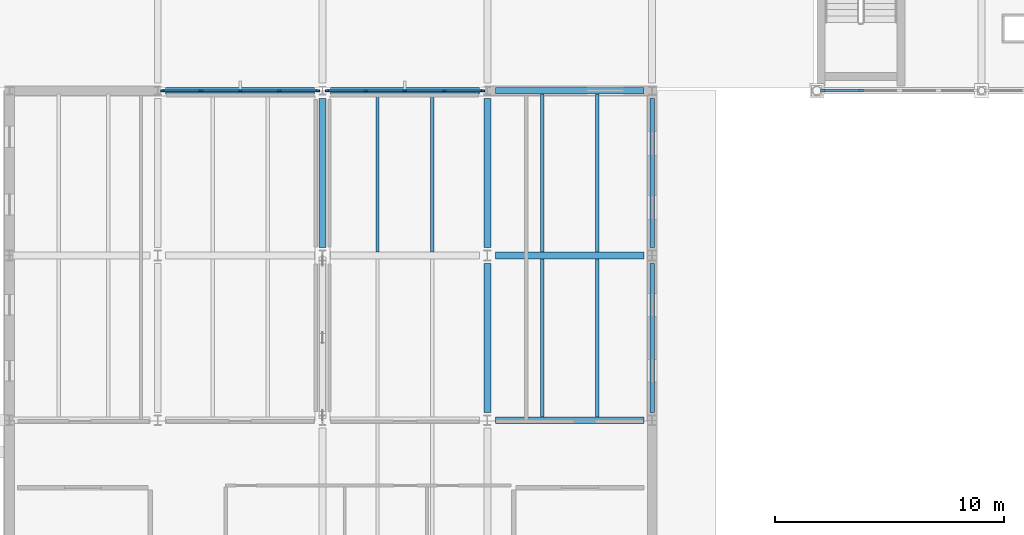
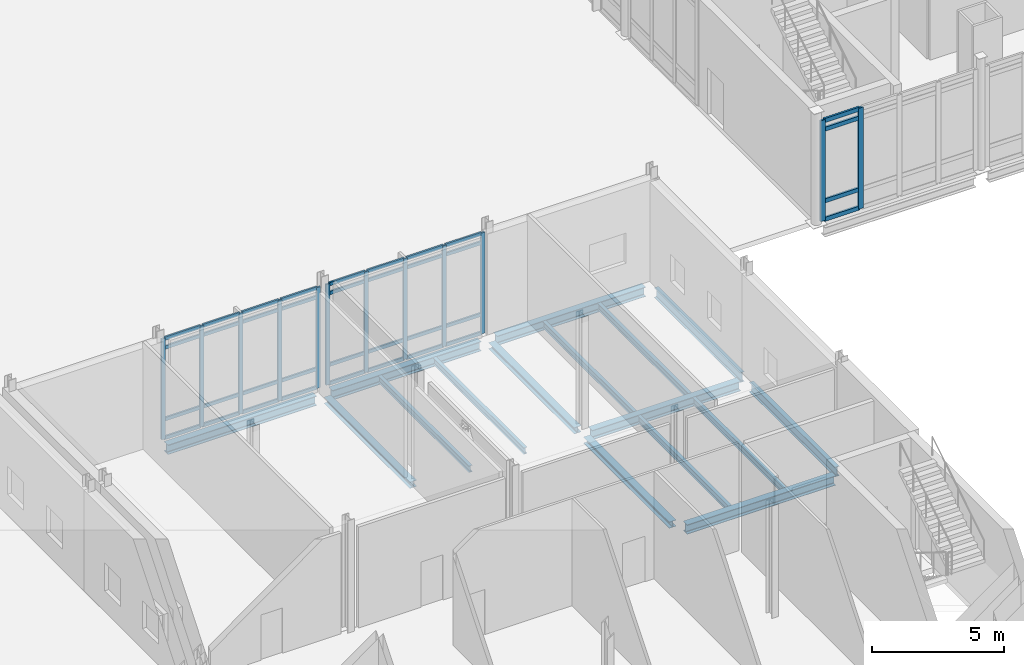
# One storey, part 22 of 89: 48 members, 16 beams, 3 elements without a shape of their own.
"""IFC4 building model written with IfcOpenShell, lengths in metres."""

from ifc_helpers import new_model, si_unit, direction, frame, origin, origin_2d, place, context, subcontext, project, spatial, rectangle, i_section, extrude, material, layer, layer_set, material_profile, profile_set, type_object, element, aggregate, save


model = new_model("IFC4")

# Units and contexts
model_context = context("Model", 3, precision=1e-05, world=origin(), true_north=direction((0.0, 1.0)))
body_context = subcontext(model_context, "Body", "Model", "MODEL_VIEW")
ifc_project = project(units=[si_unit("LENGTHUNIT", "METRE"), si_unit("AREAUNIT", "SQUARE_METRE"), si_unit("VOLUMEUNIT", "CUBIC_METRE"), si_unit("PLANEANGLEUNIT", "RADIAN"), si_unit("MASSUNIT", "GRAM", prefix="KILO")], contexts=[model_context])

# Site, building, storey
site_placement = place(None, origin())
site = spatial("IfcSite", under=ifc_project, at=site_placement, CompositionType="ELEMENT")
building_placement = place(site_placement, origin())
building = spatial("IfcBuilding", under=site, at=building_placement, Name="Zarrinpeak Specialist Clinic", CompositionType="ELEMENT")
storey_placement = place(building_placement, origin())
storey = spatial("IfcBuildingStorey", under=building, at=storey_placement, Name="L00", CompositionType="ELEMENT", Elevation=0.0)

# Beams
ifc_material_1 = material(Name="Steel S355", Category="steel")
ifc_material_profile_1 = material_profile(ifc_material_1, i_section(OverallWidth=0.300048828125, OverallDepth=0.2900390625, WebThickness=0.008544921875, FlangeThickness=0.013916015625, FilletRadius=0.027099609375, at=origin_2d()), Name="HEA 300")
ifc_profile_set_1 = profile_set([ifc_material_profile_1], Name="Steel S355")
beam_type_1 = type_object("IfcBeamType", Name="BM-HEA300", PredefinedType="BEAM", material=ifc_profile_set_1)
for number, where, z_axis, x_axis, name in (
    (1, (72.0, 21.947998046875, -0.39501953125), (0.0, 1.0, 0.0), (-1.0, 0.0, 0.0), "L00 Primary Beam BM-L00-Y0345"),
    (2, (79.199951171875, 14.748046875, -0.39501953125), (0.0, 1.0, 0.0), (-1.0, 0.0, 0.0), "L00 Primary Beam BM-L00-Y0355"),
    (3, (79.199951171875, 21.947998046875, -0.39501953125), (0.0, 1.0, 0.0), (-1.0, 0.0, 0.0), "L00 Primary Beam BM-L00-Y0356"),
):
    element("IfcBeam", number, at=place(storey_placement, frame(where, z_axis=z_axis, x_axis=x_axis)), inside=storey, type_object=beam_type_1, Name=name, PredefinedType="BEAM", context=body_context, shape_type="SweptSolid", body=[
        extrude(i_section(OverallWidth=0.300048828125, OverallDepth=0.2900390625, WebThickness=0.008544921875, FlangeThickness=0.013916015625, FilletRadius=0.027099609375, at=origin_2d()), origin(), (0.0, 0.0, 1.0), 6.50390625),
    ])
ifc_material_profile_2 = material_profile(ifc_material_1, i_section(OverallWidth=0.300048828125, OverallDepth=0.43994140625, WebThickness=0.011474609375, FlangeThickness=0.02099609375, FilletRadius=0.027099609375, at=origin_2d()), Name="HEA 450")
ifc_profile_set_2 = profile_set([ifc_material_profile_2], Name="Steel S355")
beam_type_2 = type_object("IfcBeamType", Name="BM-HEA450", PredefinedType="BEAM", material=ifc_profile_set_2)
for number, where, z_axis, x_axis, name in (
    (4, (79.548095703125, 14.39990234375, -0.469970703125), (1.0, 0.0, 0.0), (0.0, 1.0, 0.0), "L00 Primary Floor Girder BM-L00-X0027"),
    (5, (79.548095703125, 21.60009765625, -0.469970703125), (1.0, 0.0, 0.0), (0.0, 1.0, 0.0), "L00 Primary Floor Girder BM-L00-X0039"),
):
    element("IfcBeam", number, at=place(storey_placement, frame(where, z_axis=z_axis, x_axis=x_axis)), inside=storey, type_object=beam_type_2, Name=name, PredefinedType="BEAM", context=body_context, shape_type="SweptSolid", body=[
        extrude(i_section(OverallWidth=0.300048828125, OverallDepth=0.43994140625, WebThickness=0.011474609375, FlangeThickness=0.02099609375, FilletRadius=0.027099609375, at=origin_2d()), origin(), (0.0, 0.0, 1.0), 6.50390625),
    ])
for number, where, z_axis, x_axis, name in (
    (6, (65.14794921875, 28.800048828125, -0.469970703125), (1.0, 0.0, 0.0), (0.0, 1.0, 0.0), "L00 Primary Floor Girder BM-L00-X0049"),
    (7, (72.347900390625, 28.800048828125, -0.469970703125), (1.0, 0.0, 0.0), (0.0, 1.0, 0.0), "L00 Primary Floor Girder BM-L00-X0050"),
):
    element("IfcBeam", number, at=place(storey_placement, frame(where, z_axis=z_axis, x_axis=x_axis)), inside=storey, type_object=beam_type_2, Name=name, PredefinedType="BEAM", context=body_context, shape_type="SweptSolid", body=[
        extrude(i_section(OverallWidth=0.300048828125, OverallDepth=0.43994140625, WebThickness=0.011474609375, FlangeThickness=0.02099609375, FilletRadius=0.027099609375, at=origin_2d()), origin(), (0.0, 0.0, 1.0), 6.504150390625),
    ])
beam_placement = place(storey_placement, frame((79.548095703125, 28.800048828125, -0.469970703125), z_axis=(1.0, 0.0, 0.0), x_axis=(0.0, 1.0, 0.0)))
element("IfcBeam", 8, at=beam_placement, inside=storey, type_object=beam_type_2, Name="L00 Primary Floor Girder BM-L00-X0051", PredefinedType="BEAM", context=body_context, shape_type="SweptSolid", body=[
    extrude(i_section(OverallWidth=0.300048828125, OverallDepth=0.43994140625, WebThickness=0.011474609375, FlangeThickness=0.02099609375, FilletRadius=0.027099609375, at=origin_2d()), origin(), (0.0, 0.0, 1.0), 6.50390625),
])
ifc_material_profile_3 = material_profile(ifc_material_1, i_section(OverallWidth=0.14990234375, OverallDepth=0.300048828125, WebThickness=0.007080078125, FlangeThickness=0.0107421875, FilletRadius=0.014892578125, at=origin_2d()), Name="IPE 300")
ifc_profile_set_3 = profile_set([ifc_material_profile_3], Name="Steel S355")
beam_type_3 = type_object("IfcBeamType", Name="BM-JST300", PredefinedType="JOIST", material=ifc_profile_set_3)
for number, where, z_axis, x_axis, name in (
    (9, (74.39990234375, 21.748046875, -0.39990234375), (0.0, 1.0, 0.0), (-1.0, 0.0, 0.0), "L00 Composite Floor Joist JST-L00-0495"),
    (10, (76.800048828125, 21.748046875, -0.39990234375), (0.0, 1.0, 0.0), (-1.0, 0.0, 0.0), "L00 Composite Floor Joist JST-L00-0496"),
):
    element("IfcBeam", number, at=place(storey_placement, frame(where, z_axis=z_axis, x_axis=x_axis)), inside=storey, type_object=beam_type_3, Name=name, PredefinedType="JOIST", context=body_context, shape_type="SweptSolid", body=[
        extrude(i_section(OverallWidth=0.14990234375, OverallDepth=0.300048828125, WebThickness=0.007080078125, FlangeThickness=0.0107421875, FilletRadius=0.014892578125, at=origin_2d()), origin(), (0.0, 0.0, 1.0), 6.904052734375),
    ])
for number, where, z_axis, x_axis, name in (
    (11, (81.60009765625, 14.548095703125, -0.39990234375), (0.0, 1.0, 0.0), (-1.0, 0.0, 0.0), "L00 Composite Floor Joist JST-L00-0497"),
    (12, (84.0, 14.548095703125, -0.39990234375), (0.0, 1.0, 0.0), (-1.0, 0.0, 0.0), "L00 Composite Floor Joist JST-L00-0498"),
):
    element("IfcBeam", number, at=place(storey_placement, frame(where, z_axis=z_axis, x_axis=x_axis)), inside=storey, type_object=beam_type_3, Name=name, PredefinedType="JOIST", context=body_context, shape_type="SweptSolid", body=[
        extrude(i_section(OverallWidth=0.14990234375, OverallDepth=0.300048828125, WebThickness=0.007080078125, FlangeThickness=0.0107421875, FilletRadius=0.014892578125, at=origin_2d()), origin(), (0.0, 0.0, 1.0), 6.90380859375),
    ])
for number, where, z_axis, x_axis, name in (
    (13, (81.60009765625, 21.748046875, -0.39990234375), (0.0, 1.0, 0.0), (-1.0, 0.0, 0.0), "L00 Composite Floor Joist JST-L00-0499"),
    (14, (84.0, 21.748046875, -0.39990234375), (0.0, 1.0, 0.0), (-1.0, 0.0, 0.0), "L00 Composite Floor Joist JST-L00-0500"),
):
    element("IfcBeam", number, at=place(storey_placement, frame(where, z_axis=z_axis, x_axis=x_axis)), inside=storey, type_object=beam_type_3, Name=name, PredefinedType="JOIST", context=body_context, shape_type="SweptSolid", body=[
        extrude(i_section(OverallWidth=0.14990234375, OverallDepth=0.300048828125, WebThickness=0.007080078125, FlangeThickness=0.0107421875, FilletRadius=0.014892578125, at=origin_2d()), origin(), (0.0, 0.0, 1.0), 6.904052734375),
    ])
ifc_material_profile_4 = material_profile(ifc_material_1, i_section(OverallWidth=0.18994140625, OverallDepth=0.449951171875, WebThickness=0.009521484375, FlangeThickness=0.0146484375, FilletRadius=0.02099609375, at=origin_2d()), Name="IPE 450")
ifc_profile_set_4 = profile_set([ifc_material_profile_4], Name="Steel S355")
beam_type_4 = type_object("IfcBeamType", Name="BM-SP450", PredefinedType="SPANDREL", material=ifc_profile_set_4)
for number, where, z_axis, x_axis, name in (
    (15, (86.39990234375, 14.748046875, -0.47509765625), (0.0, 1.0, 0.0), (-1.0, 0.0, 0.0), "L00 Perimeter Spandrel Beam BM-L00-Y0364"),
    (16, (86.39990234375, 21.947998046875, -0.47509765625), (0.0, 1.0, 0.0), (-1.0, 0.0, 0.0), "L00 Perimeter Spandrel Beam BM-L00-Y0365"),
):
    element("IfcBeam", number, at=place(storey_placement, frame(where, z_axis=z_axis, x_axis=x_axis)), inside=storey, type_object=beam_type_4, Name=name, PredefinedType="SPANDREL", context=body_context, shape_type="SweptSolid", body=[
        extrude(i_section(OverallWidth=0.18994140625, OverallDepth=0.449951171875, WebThickness=0.009521484375, FlangeThickness=0.0146484375, FilletRadius=0.02099609375, at=origin_2d()), origin(), (0.0, 0.0, 1.0), 6.50390625),
    ])

# Curtain wall, members
ifc_material_2 = material(Name="Anodised Aluminium Alloy 6063-T6", Category="aluminium")
ifc_layer_1 = layer(ifc_material_2, 0.179931640625)
ifc_layer_set_1 = layer_set([ifc_layer_1], Name="Anodised Aluminium Alloy 6063-T6")
curtain_wall_type_1 = type_object("IfcCurtainWallType", Name="CW-COURT", PredefinedType="NOTDEFINED", material=ifc_layer_set_1)
curtain_wall_1_placement = place(storey_placement, origin())
curtain_wall_1 = element("IfcCurtainWall", 17, at=curtain_wall_1_placement, inside=storey, type_object=curtain_wall_type_1, Name="L00 V4 Unitised Curtain Wall CW-L00-V4-069", PredefinedType="NOTDEFINED")
ifc_material_profile_5 = material_profile(ifc_material_2, rectangle(XDim=0.074951171875, YDim=0.179931640625, at=origin_2d()), Name="ALU 75x180")
ifc_profile_set_5 = profile_set([ifc_material_profile_5], Name="Anodised Aluminium Alloy 6063-T6")
member_type_1 = type_object("IfcMemberType", Name="CWM-75", PredefinedType="MULLION", material=ifc_profile_set_5)
member_1_placement = place(storey_placement, frame((71.78759765625, 28.800048828125, 0.0), z_axis=(0.0, 0.0, 1.0), x_axis=(0.0, -1.0, 0.0)))
member_1 = element("IfcMember", 18, at=member_1_placement, type_object=member_type_1, Name="CW-01 mullion 1", PredefinedType="MULLION", context=body_context, shape_type="SweptSolid", body=[
    extrude(rectangle(XDim=0.074951171875, YDim=0.179931640625, at=origin_2d()), origin(), (0.0, 0.0, 1.0), 4.6650390625),
])
member_2_placement = place(storey_placement, frame((70.112548828125, 28.800048828125, 0.0), z_axis=(0.0, 0.0, 1.0), x_axis=(0.0, -1.0, 0.0)))
member_2 = element("IfcMember", 19, at=member_2_placement, type_object=member_type_1, Name="CW-01 mullion 2", PredefinedType="MULLION", context=body_context, shape_type="SweptSolid", body=[
    extrude(rectangle(XDim=0.074951171875, YDim=0.179931640625, at=origin_2d()), origin(), (0.0, 0.0, 1.0), 4.6650390625),
])
member_3_placement = place(storey_placement, frame((68.39990234375, 28.800048828125, 0.0), z_axis=(0.0, 0.0, 1.0), x_axis=(0.0, -1.0, 0.0)))
member_3 = element("IfcMember", 20, at=member_3_placement, type_object=member_type_1, Name="CW-01 mullion 3", PredefinedType="MULLION", context=body_context, shape_type="SweptSolid", body=[
    extrude(rectangle(XDim=0.074951171875, YDim=0.179931640625, at=origin_2d()), origin(), (0.0, 0.0, 1.0), 4.6650390625),
])
member_4_placement = place(storey_placement, frame((66.6875, 28.800048828125, 0.0), z_axis=(0.0, 0.0, 1.0), x_axis=(0.0, -1.0, 0.0)))
member_4 = element("IfcMember", 21, at=member_4_placement, type_object=member_type_1, Name="CW-01 mullion 4", PredefinedType="MULLION", context=body_context, shape_type="SweptSolid", body=[
    extrude(rectangle(XDim=0.074951171875, YDim=0.179931640625, at=origin_2d()), origin(), (0.0, 0.0, 1.0), 4.6650390625),
])
member_5_placement = place(storey_placement, frame((65.012451171875, 28.800048828125, 0.0), z_axis=(0.0, 0.0, 1.0), x_axis=(0.0, -1.0, 0.0)))
member_5 = element("IfcMember", 22, at=member_5_placement, type_object=member_type_1, Name="CW-01 mullion 5", PredefinedType="MULLION", context=body_context, shape_type="SweptSolid", body=[
    extrude(rectangle(XDim=0.074951171875, YDim=0.179931640625, at=origin_2d()), origin(), (0.0, 0.0, 1.0), 4.6650390625),
])

curtain_wall_2_placement = place(storey_placement, origin())
curtain_wall_2 = element("IfcCurtainWall", 23, at=curtain_wall_2_placement, inside=storey, type_object=curtain_wall_type_1, Name="L00 V4 Unitised Curtain Wall CW-L00-V4-070", PredefinedType="NOTDEFINED")
member_6_placement = place(storey_placement, frame((78.987548828125, 28.800048828125, 0.0), z_axis=(0.0, 0.0, 1.0), x_axis=(0.0, -1.0, 0.0)))
member_6 = element("IfcMember", 24, at=member_6_placement, type_object=member_type_1, Name="CW-01 mullion 1", PredefinedType="MULLION", context=body_context, shape_type="SweptSolid", body=[
    extrude(rectangle(XDim=0.074951171875, YDim=0.179931640625, at=origin_2d()), origin(), (0.0, 0.0, 1.0), 4.6650390625),
])
member_7_placement = place(storey_placement, frame((77.3125, 28.800048828125, 0.0), z_axis=(0.0, 0.0, 1.0), x_axis=(0.0, -1.0, 0.0)))
member_7 = element("IfcMember", 25, at=member_7_placement, type_object=member_type_1, Name="CW-01 mullion 2", PredefinedType="MULLION", context=body_context, shape_type="SweptSolid", body=[
    extrude(rectangle(XDim=0.074951171875, YDim=0.179931640625, at=origin_2d()), origin(), (0.0, 0.0, 1.0), 4.6650390625),
])
member_8_placement = place(storey_placement, frame((75.60009765625, 28.800048828125, 0.0), z_axis=(0.0, 0.0, 1.0), x_axis=(0.0, -1.0, 0.0)))
member_8 = element("IfcMember", 26, at=member_8_placement, type_object=member_type_1, Name="CW-01 mullion 3", PredefinedType="MULLION", context=body_context, shape_type="SweptSolid", body=[
    extrude(rectangle(XDim=0.074951171875, YDim=0.179931640625, at=origin_2d()), origin(), (0.0, 0.0, 1.0), 4.6650390625),
])
member_9_placement = place(storey_placement, frame((73.887451171875, 28.800048828125, 0.0), z_axis=(0.0, 0.0, 1.0), x_axis=(0.0, -1.0, 0.0)))
member_9 = element("IfcMember", 27, at=member_9_placement, type_object=member_type_1, Name="CW-01 mullion 4", PredefinedType="MULLION", context=body_context, shape_type="SweptSolid", body=[
    extrude(rectangle(XDim=0.074951171875, YDim=0.179931640625, at=origin_2d()), origin(), (0.0, 0.0, 1.0), 4.6650390625),
])
member_10_placement = place(storey_placement, frame((72.21240234375, 28.800048828125, 0.0), z_axis=(0.0, 0.0, 1.0), x_axis=(0.0, -1.0, 0.0)))
member_10 = element("IfcMember", 28, at=member_10_placement, type_object=member_type_1, Name="CW-01 mullion 5", PredefinedType="MULLION", context=body_context, shape_type="SweptSolid", body=[
    extrude(rectangle(XDim=0.074951171875, YDim=0.179931640625, at=origin_2d()), origin(), (0.0, 0.0, 1.0), 4.6650390625),
])

ifc_layer_2 = layer(ifc_material_2, 0.199951171875)
ifc_layer_set_2 = layer_set([ifc_layer_2], Name="Anodised Aluminium Alloy 6063-T6")
curtain_wall_type_2 = type_object("IfcCurtainWallType", Name="CW-HALL", PredefinedType="NOTDEFINED", material=ifc_layer_set_2)
curtain_wall_3_placement = place(storey_placement, origin())
curtain_wall_3 = element("IfcCurtainWall", 29, at=curtain_wall_3_placement, inside=storey, type_object=curtain_wall_type_2, Name="L00 V3 Unitised Curtain Wall CW-L00-V3-079", PredefinedType="NOTDEFINED")
ifc_material_profile_6 = material_profile(ifc_material_2, rectangle(XDim=0.090087890625, YDim=0.219970703125, at=origin_2d()), Name="ALU 90x220")
ifc_profile_set_6 = profile_set([ifc_material_profile_6], Name="Anodised Aluminium Alloy 6063-T6")
member_type_2 = type_object("IfcMemberType", Name="CWM-90", PredefinedType="MULLION", material=ifc_profile_set_6)
member_11_placement = place(storey_placement, frame((93.873291015625, 28.800048828125, 0.0), z_axis=(0.0, 0.0, 1.0), x_axis=(0.0, 1.0, 0.0)))
member_11 = element("IfcMember", 30, at=member_11_placement, type_object=member_type_2, Name="CW-02 mullion 1", PredefinedType="MULLION", context=body_context, shape_type="SweptSolid", body=[
    extrude(rectangle(XDim=0.090087890625, YDim=0.219970703125, at=origin_2d()), origin(), (0.0, 0.0, 1.0), 4.6650390625),
])
member_12_placement = place(storey_placement, frame((95.5244140625, 28.800048828125, 0.0), z_axis=(0.0, 0.0, 1.0), x_axis=(0.0, 1.0, 0.0)))
member_12 = element("IfcMember", 31, at=member_12_placement, type_object=member_type_2, Name="CW-02 mullion 2", PredefinedType="MULLION", context=body_context, shape_type="SweptSolid", body=[
    extrude(rectangle(XDim=0.090087890625, YDim=0.219970703125, at=origin_2d()), origin(), (0.0, 0.0, 1.0), 4.6650390625),
])

# Member
ifc_material_profile_7 = material_profile(ifc_material_2, rectangle(XDim=0.074951171875, YDim=0.159912109375, at=origin_2d()), Name="ALU 75x160")
ifc_profile_set_7 = profile_set([ifc_material_profile_7], Name="Anodised Aluminium Alloy 6063-T6")
member_type_3 = type_object("IfcMemberType", Name="CWT-75", PredefinedType="USERDEFINED", material=ifc_profile_set_7)
member_13_placement = place(storey_placement, frame((71.75, 28.800048828125, 0.03759765625), z_axis=(-1.0, 0.0, 0.0), x_axis=(0.0, -1.0, 0.0)))
member_13 = element("IfcMember", 32, at=member_13_placement, type_object=member_type_3, Name="CW-01 transom 1.1", ObjectType="TRANSOM", PredefinedType="USERDEFINED", context=body_context, shape_type="SweptSolid", body=[
    extrude(rectangle(XDim=0.074951171875, YDim=0.159912109375, at=origin_2d()), origin(), (0.0, 0.0, 1.0), 1.60009765625),
])

member_14_placement = place(storey_placement, frame((71.75, 28.800048828125, 0.89990234375), z_axis=(-1.0, 0.0, 0.0), x_axis=(0.0, -1.0, 0.0)))
member_14 = element("IfcMember", 33, at=member_14_placement, type_object=member_type_3, Name="CW-01 transom 1.2", ObjectType="TRANSOM", PredefinedType="USERDEFINED", context=body_context, shape_type="SweptSolid", body=[
    extrude(rectangle(XDim=0.074951171875, YDim=0.159912109375, at=origin_2d()), origin(), (0.0, 0.0, 1.0), 1.60009765625),
])

member_15_placement = place(storey_placement, frame((71.75, 28.800048828125, 4.215087890625), z_axis=(-1.0, 0.0, 0.0), x_axis=(0.0, -1.0, 0.0)))
member_15 = element("IfcMember", 34, at=member_15_placement, type_object=member_type_3, Name="CW-01 transom 1.3", ObjectType="TRANSOM", PredefinedType="USERDEFINED", context=body_context, shape_type="SweptSolid", body=[
    extrude(rectangle(XDim=0.074951171875, YDim=0.159912109375, at=origin_2d()), origin(), (0.0, 0.0, 1.0), 1.60009765625),
])

member_16_placement = place(storey_placement, frame((71.75, 28.800048828125, 4.62744140625), z_axis=(-1.0, 0.0, 0.0), x_axis=(0.0, -1.0, 0.0)))
member_16 = element("IfcMember", 35, at=member_16_placement, type_object=member_type_3, Name="CW-01 transom 1.4", ObjectType="TRANSOM", PredefinedType="USERDEFINED", context=body_context, shape_type="SweptSolid", body=[
    extrude(rectangle(XDim=0.074951171875, YDim=0.159912109375, at=origin_2d()), origin(), (0.0, 0.0, 1.0), 1.60009765625),
])

member_17_placement = place(storey_placement, frame((70.074951171875, 28.800048828125, 0.03759765625), z_axis=(-1.0, 0.0, 0.0), x_axis=(0.0, -1.0, 0.0)))
member_17 = element("IfcMember", 36, at=member_17_placement, type_object=member_type_3, Name="CW-01 transom 2.1", ObjectType="TRANSOM", PredefinedType="USERDEFINED", context=body_context, shape_type="SweptSolid", body=[
    extrude(rectangle(XDim=0.074951171875, YDim=0.159912109375, at=origin_2d()), origin(), (0.0, 0.0, 1.0), 1.637451171875),
])

member_18_placement = place(storey_placement, frame((70.074951171875, 28.800048828125, 0.89990234375), z_axis=(-1.0, 0.0, 0.0), x_axis=(0.0, -1.0, 0.0)))
member_18 = element("IfcMember", 37, at=member_18_placement, type_object=member_type_3, Name="CW-01 transom 2.2", ObjectType="TRANSOM", PredefinedType="USERDEFINED", context=body_context, shape_type="SweptSolid", body=[
    extrude(rectangle(XDim=0.074951171875, YDim=0.159912109375, at=origin_2d()), origin(), (0.0, 0.0, 1.0), 1.637451171875),
])

member_19_placement = place(storey_placement, frame((70.074951171875, 28.800048828125, 4.215087890625), z_axis=(-1.0, 0.0, 0.0), x_axis=(0.0, -1.0, 0.0)))
member_19 = element("IfcMember", 38, at=member_19_placement, type_object=member_type_3, Name="CW-01 transom 2.3", ObjectType="TRANSOM", PredefinedType="USERDEFINED", context=body_context, shape_type="SweptSolid", body=[
    extrude(rectangle(XDim=0.074951171875, YDim=0.159912109375, at=origin_2d()), origin(), (0.0, 0.0, 1.0), 1.637451171875),
])

member_20_placement = place(storey_placement, frame((70.074951171875, 28.800048828125, 4.62744140625), z_axis=(-1.0, 0.0, 0.0), x_axis=(0.0, -1.0, 0.0)))
member_20 = element("IfcMember", 39, at=member_20_placement, type_object=member_type_3, Name="CW-01 transom 2.4", ObjectType="TRANSOM", PredefinedType="USERDEFINED", context=body_context, shape_type="SweptSolid", body=[
    extrude(rectangle(XDim=0.074951171875, YDim=0.159912109375, at=origin_2d()), origin(), (0.0, 0.0, 1.0), 1.637451171875),
])

member_21_placement = place(storey_placement, frame((68.362548828125, 28.800048828125, 0.03759765625), z_axis=(-1.0, 0.0, 0.0), x_axis=(0.0, -1.0, 0.0)))
member_21 = element("IfcMember", 40, at=member_21_placement, type_object=member_type_3, Name="CW-01 transom 3.1", ObjectType="TRANSOM", PredefinedType="USERDEFINED", context=body_context, shape_type="SweptSolid", body=[
    extrude(rectangle(XDim=0.074951171875, YDim=0.159912109375, at=origin_2d()), origin(), (0.0, 0.0, 1.0), 1.637451171875),
])

member_22_placement = place(storey_placement, frame((68.362548828125, 28.800048828125, 0.89990234375), z_axis=(-1.0, 0.0, 0.0), x_axis=(0.0, -1.0, 0.0)))
member_22 = element("IfcMember", 41, at=member_22_placement, type_object=member_type_3, Name="CW-01 transom 3.2", ObjectType="TRANSOM", PredefinedType="USERDEFINED", context=body_context, shape_type="SweptSolid", body=[
    extrude(rectangle(XDim=0.074951171875, YDim=0.159912109375, at=origin_2d()), origin(), (0.0, 0.0, 1.0), 1.637451171875),
])

member_23_placement = place(storey_placement, frame((68.362548828125, 28.800048828125, 4.215087890625), z_axis=(-1.0, 0.0, 0.0), x_axis=(0.0, -1.0, 0.0)))
member_23 = element("IfcMember", 42, at=member_23_placement, type_object=member_type_3, Name="CW-01 transom 3.3", ObjectType="TRANSOM", PredefinedType="USERDEFINED", context=body_context, shape_type="SweptSolid", body=[
    extrude(rectangle(XDim=0.074951171875, YDim=0.159912109375, at=origin_2d()), origin(), (0.0, 0.0, 1.0), 1.637451171875),
])

member_24_placement = place(storey_placement, frame((68.362548828125, 28.800048828125, 4.62744140625), z_axis=(-1.0, 0.0, 0.0), x_axis=(0.0, -1.0, 0.0)))
member_24 = element("IfcMember", 43, at=member_24_placement, type_object=member_type_3, Name="CW-01 transom 3.4", ObjectType="TRANSOM", PredefinedType="USERDEFINED", context=body_context, shape_type="SweptSolid", body=[
    extrude(rectangle(XDim=0.074951171875, YDim=0.159912109375, at=origin_2d()), origin(), (0.0, 0.0, 1.0), 1.637451171875),
])

member_25_placement = place(storey_placement, frame((66.64990234375, 28.800048828125, 0.03759765625), z_axis=(-1.0, 0.0, 0.0), x_axis=(0.0, -1.0, 0.0)))
member_25 = element("IfcMember", 44, at=member_25_placement, type_object=member_type_3, Name="CW-01 transom 4.1", ObjectType="TRANSOM", PredefinedType="USERDEFINED", context=body_context, shape_type="SweptSolid", body=[
    extrude(rectangle(XDim=0.074951171875, YDim=0.159912109375, at=origin_2d()), origin(), (0.0, 0.0, 1.0), 1.599853515625),
])

member_26_placement = place(storey_placement, frame((66.64990234375, 28.800048828125, 0.89990234375), z_axis=(-1.0, 0.0, 0.0), x_axis=(0.0, -1.0, 0.0)))
member_26 = element("IfcMember", 45, at=member_26_placement, type_object=member_type_3, Name="CW-01 transom 4.2", ObjectType="TRANSOM", PredefinedType="USERDEFINED", context=body_context, shape_type="SweptSolid", body=[
    extrude(rectangle(XDim=0.074951171875, YDim=0.159912109375, at=origin_2d()), origin(), (0.0, 0.0, 1.0), 1.599853515625),
])

member_27_placement = place(storey_placement, frame((66.64990234375, 28.800048828125, 4.215087890625), z_axis=(-1.0, 0.0, 0.0), x_axis=(0.0, -1.0, 0.0)))
member_27 = element("IfcMember", 46, at=member_27_placement, type_object=member_type_3, Name="CW-01 transom 4.3", ObjectType="TRANSOM", PredefinedType="USERDEFINED", context=body_context, shape_type="SweptSolid", body=[
    extrude(rectangle(XDim=0.074951171875, YDim=0.159912109375, at=origin_2d()), origin(), (0.0, 0.0, 1.0), 1.599853515625),
])

member_28_placement = place(storey_placement, frame((66.64990234375, 28.800048828125, 4.62744140625), z_axis=(-1.0, 0.0, 0.0), x_axis=(0.0, -1.0, 0.0)))
member_28 = element("IfcMember", 47, at=member_28_placement, type_object=member_type_3, Name="CW-01 transom 4.4", ObjectType="TRANSOM", PredefinedType="USERDEFINED", context=body_context, shape_type="SweptSolid", body=[
    extrude(rectangle(XDim=0.074951171875, YDim=0.159912109375, at=origin_2d()), origin(), (0.0, 0.0, 1.0), 1.599853515625),
])

aggregate(curtain_wall_1, [member_1, member_2, member_3, member_4, member_5, member_13, member_14, member_15, member_16, member_17, member_18, member_19, member_20, member_21, member_22, member_23, member_24, member_25, member_26, member_27, member_28])

member_29_placement = place(storey_placement, frame((78.949951171875, 28.800048828125, 0.03759765625), z_axis=(-1.0, 0.0, 0.0), x_axis=(0.0, -1.0, 0.0)))
member_29 = element("IfcMember", 48, at=member_29_placement, type_object=member_type_3, Name="CW-01 transom 1.1", ObjectType="TRANSOM", PredefinedType="USERDEFINED", context=body_context, shape_type="SweptSolid", body=[
    extrude(rectangle(XDim=0.074951171875, YDim=0.159912109375, at=origin_2d()), origin(), (0.0, 0.0, 1.0), 1.599853515625),
])

member_30_placement = place(storey_placement, frame((78.949951171875, 28.800048828125, 0.89990234375), z_axis=(-1.0, 0.0, 0.0), x_axis=(0.0, -1.0, 0.0)))
member_30 = element("IfcMember", 49, at=member_30_placement, type_object=member_type_3, Name="CW-01 transom 1.2", ObjectType="TRANSOM", PredefinedType="USERDEFINED", context=body_context, shape_type="SweptSolid", body=[
    extrude(rectangle(XDim=0.074951171875, YDim=0.159912109375, at=origin_2d()), origin(), (0.0, 0.0, 1.0), 1.599853515625),
])

member_31_placement = place(storey_placement, frame((78.949951171875, 28.800048828125, 4.215087890625), z_axis=(-1.0, 0.0, 0.0), x_axis=(0.0, -1.0, 0.0)))
member_31 = element("IfcMember", 50, at=member_31_placement, type_object=member_type_3, Name="CW-01 transom 1.3", ObjectType="TRANSOM", PredefinedType="USERDEFINED", context=body_context, shape_type="SweptSolid", body=[
    extrude(rectangle(XDim=0.074951171875, YDim=0.159912109375, at=origin_2d()), origin(), (0.0, 0.0, 1.0), 1.599853515625),
])

member_32_placement = place(storey_placement, frame((78.949951171875, 28.800048828125, 4.62744140625), z_axis=(-1.0, 0.0, 0.0), x_axis=(0.0, -1.0, 0.0)))
member_32 = element("IfcMember", 51, at=member_32_placement, type_object=member_type_3, Name="CW-01 transom 1.4", ObjectType="TRANSOM", PredefinedType="USERDEFINED", context=body_context, shape_type="SweptSolid", body=[
    extrude(rectangle(XDim=0.074951171875, YDim=0.159912109375, at=origin_2d()), origin(), (0.0, 0.0, 1.0), 1.599853515625),
])

member_33_placement = place(storey_placement, frame((77.27490234375, 28.800048828125, 0.03759765625), z_axis=(-1.0, 0.0, 0.0), x_axis=(0.0, -1.0, 0.0)))
member_33 = element("IfcMember", 52, at=member_33_placement, type_object=member_type_3, Name="CW-01 transom 2.1", ObjectType="TRANSOM", PredefinedType="USERDEFINED", context=body_context, shape_type="SweptSolid", body=[
    extrude(rectangle(XDim=0.074951171875, YDim=0.159912109375, at=origin_2d()), origin(), (0.0, 0.0, 1.0), 1.637451171875),
])

member_34_placement = place(storey_placement, frame((77.27490234375, 28.800048828125, 0.89990234375), z_axis=(-1.0, 0.0, 0.0), x_axis=(0.0, -1.0, 0.0)))
member_34 = element("IfcMember", 53, at=member_34_placement, type_object=member_type_3, Name="CW-01 transom 2.2", ObjectType="TRANSOM", PredefinedType="USERDEFINED", context=body_context, shape_type="SweptSolid", body=[
    extrude(rectangle(XDim=0.074951171875, YDim=0.159912109375, at=origin_2d()), origin(), (0.0, 0.0, 1.0), 1.637451171875),
])

member_35_placement = place(storey_placement, frame((77.27490234375, 28.800048828125, 4.215087890625), z_axis=(-1.0, 0.0, 0.0), x_axis=(0.0, -1.0, 0.0)))
member_35 = element("IfcMember", 54, at=member_35_placement, type_object=member_type_3, Name="CW-01 transom 2.3", ObjectType="TRANSOM", PredefinedType="USERDEFINED", context=body_context, shape_type="SweptSolid", body=[
    extrude(rectangle(XDim=0.074951171875, YDim=0.159912109375, at=origin_2d()), origin(), (0.0, 0.0, 1.0), 1.637451171875),
])

member_36_placement = place(storey_placement, frame((77.27490234375, 28.800048828125, 4.62744140625), z_axis=(-1.0, 0.0, 0.0), x_axis=(0.0, -1.0, 0.0)))
member_36 = element("IfcMember", 55, at=member_36_placement, type_object=member_type_3, Name="CW-01 transom 2.4", ObjectType="TRANSOM", PredefinedType="USERDEFINED", context=body_context, shape_type="SweptSolid", body=[
    extrude(rectangle(XDim=0.074951171875, YDim=0.159912109375, at=origin_2d()), origin(), (0.0, 0.0, 1.0), 1.637451171875),
])

member_37_placement = place(storey_placement, frame((75.5625, 28.800048828125, 0.03759765625), z_axis=(-1.0, 0.0, 0.0), x_axis=(0.0, -1.0, 0.0)))
member_37 = element("IfcMember", 56, at=member_37_placement, type_object=member_type_3, Name="CW-01 transom 3.1", ObjectType="TRANSOM", PredefinedType="USERDEFINED", context=body_context, shape_type="SweptSolid", body=[
    extrude(rectangle(XDim=0.074951171875, YDim=0.159912109375, at=origin_2d()), origin(), (0.0, 0.0, 1.0), 1.637451171875),
])

member_38_placement = place(storey_placement, frame((75.5625, 28.800048828125, 0.89990234375), z_axis=(-1.0, 0.0, 0.0), x_axis=(0.0, -1.0, 0.0)))
member_38 = element("IfcMember", 57, at=member_38_placement, type_object=member_type_3, Name="CW-01 transom 3.2", ObjectType="TRANSOM", PredefinedType="USERDEFINED", context=body_context, shape_type="SweptSolid", body=[
    extrude(rectangle(XDim=0.074951171875, YDim=0.159912109375, at=origin_2d()), origin(), (0.0, 0.0, 1.0), 1.637451171875),
])

member_39_placement = place(storey_placement, frame((75.5625, 28.800048828125, 4.215087890625), z_axis=(-1.0, 0.0, 0.0), x_axis=(0.0, -1.0, 0.0)))
member_39 = element("IfcMember", 58, at=member_39_placement, type_object=member_type_3, Name="CW-01 transom 3.3", ObjectType="TRANSOM", PredefinedType="USERDEFINED", context=body_context, shape_type="SweptSolid", body=[
    extrude(rectangle(XDim=0.074951171875, YDim=0.159912109375, at=origin_2d()), origin(), (0.0, 0.0, 1.0), 1.637451171875),
])

member_40_placement = place(storey_placement, frame((75.5625, 28.800048828125, 4.62744140625), z_axis=(-1.0, 0.0, 0.0), x_axis=(0.0, -1.0, 0.0)))
member_40 = element("IfcMember", 59, at=member_40_placement, type_object=member_type_3, Name="CW-01 transom 3.4", ObjectType="TRANSOM", PredefinedType="USERDEFINED", context=body_context, shape_type="SweptSolid", body=[
    extrude(rectangle(XDim=0.074951171875, YDim=0.159912109375, at=origin_2d()), origin(), (0.0, 0.0, 1.0), 1.637451171875),
])

member_41_placement = place(storey_placement, frame((73.85009765625, 28.800048828125, 0.03759765625), z_axis=(-1.0, 0.0, 0.0), x_axis=(0.0, -1.0, 0.0)))
member_41 = element("IfcMember", 60, at=member_41_placement, type_object=member_type_3, Name="CW-01 transom 4.1", ObjectType="TRANSOM", PredefinedType="USERDEFINED", context=body_context, shape_type="SweptSolid", body=[
    extrude(rectangle(XDim=0.074951171875, YDim=0.159912109375, at=origin_2d()), origin(), (0.0, 0.0, 1.0), 1.60009765625),
])

member_42_placement = place(storey_placement, frame((73.85009765625, 28.800048828125, 0.89990234375), z_axis=(-1.0, 0.0, 0.0), x_axis=(0.0, -1.0, 0.0)))
member_42 = element("IfcMember", 61, at=member_42_placement, type_object=member_type_3, Name="CW-01 transom 4.2", ObjectType="TRANSOM", PredefinedType="USERDEFINED", context=body_context, shape_type="SweptSolid", body=[
    extrude(rectangle(XDim=0.074951171875, YDim=0.159912109375, at=origin_2d()), origin(), (0.0, 0.0, 1.0), 1.60009765625),
])

member_43_placement = place(storey_placement, frame((73.85009765625, 28.800048828125, 4.215087890625), z_axis=(-1.0, 0.0, 0.0), x_axis=(0.0, -1.0, 0.0)))
member_43 = element("IfcMember", 62, at=member_43_placement, type_object=member_type_3, Name="CW-01 transom 4.3", ObjectType="TRANSOM", PredefinedType="USERDEFINED", context=body_context, shape_type="SweptSolid", body=[
    extrude(rectangle(XDim=0.074951171875, YDim=0.159912109375, at=origin_2d()), origin(), (0.0, 0.0, 1.0), 1.60009765625),
])

member_44_placement = place(storey_placement, frame((73.85009765625, 28.800048828125, 4.62744140625), z_axis=(-1.0, 0.0, 0.0), x_axis=(0.0, -1.0, 0.0)))
member_44 = element("IfcMember", 63, at=member_44_placement, type_object=member_type_3, Name="CW-01 transom 4.4", ObjectType="TRANSOM", PredefinedType="USERDEFINED", context=body_context, shape_type="SweptSolid", body=[
    extrude(rectangle(XDim=0.074951171875, YDim=0.159912109375, at=origin_2d()), origin(), (0.0, 0.0, 1.0), 1.60009765625),
])

aggregate(curtain_wall_2, [member_6, member_7, member_8, member_9, member_10, member_29, member_30, member_31, member_32, member_33, member_34, member_35, member_36, member_37, member_38, member_39, member_40, member_41, member_42, member_43, member_44])

ifc_material_profile_8 = material_profile(ifc_material_2, rectangle(XDim=0.090087890625, YDim=0.18994140625, at=origin_2d()), Name="ALU 90x190")
ifc_profile_set_8 = profile_set([ifc_material_profile_8], Name="Anodised Aluminium Alloy 6063-T6")
member_type_4 = type_object("IfcMemberType", Name="CWT-90", PredefinedType="USERDEFINED", material=ifc_profile_set_8)
member_45_placement = place(storey_placement, frame((93.918212890625, 28.800048828125, 0.044921875), z_axis=(1.0, 0.0, 0.0), x_axis=(0.0, 1.0, 0.0)))
member_45 = element("IfcMember", 64, at=member_45_placement, type_object=member_type_4, Name="CW-02 transom 1.1", ObjectType="TRANSOM", PredefinedType="USERDEFINED", context=body_context, shape_type="SweptSolid", body=[
    extrude(rectangle(XDim=0.090087890625, YDim=0.18994140625, at=origin_2d()), origin(), (0.0, 0.0, 1.0), 1.561279296875),
])

member_46_placement = place(storey_placement, frame((93.918212890625, 28.800048828125, 0.89990234375), z_axis=(1.0, 0.0, 0.0), x_axis=(0.0, 1.0, 0.0)))
member_46 = element("IfcMember", 65, at=member_46_placement, type_object=member_type_4, Name="CW-02 transom 1.2", ObjectType="TRANSOM", PredefinedType="USERDEFINED", context=body_context, shape_type="SweptSolid", body=[
    extrude(rectangle(XDim=0.090087890625, YDim=0.18994140625, at=origin_2d()), origin(), (0.0, 0.0, 1.0), 1.561279296875),
])

member_47_placement = place(storey_placement, frame((93.918212890625, 28.800048828125, 4.215087890625), z_axis=(1.0, 0.0, 0.0), x_axis=(0.0, 1.0, 0.0)))
member_47 = element("IfcMember", 66, at=member_47_placement, type_object=member_type_4, Name="CW-02 transom 1.3", ObjectType="TRANSOM", PredefinedType="USERDEFINED", context=body_context, shape_type="SweptSolid", body=[
    extrude(rectangle(XDim=0.090087890625, YDim=0.18994140625, at=origin_2d()), origin(), (0.0, 0.0, 1.0), 1.561279296875),
])

member_48_placement = place(storey_placement, frame((93.918212890625, 28.800048828125, 4.6201171875), z_axis=(1.0, 0.0, 0.0), x_axis=(0.0, 1.0, 0.0)))
member_48 = element("IfcMember", 67, at=member_48_placement, type_object=member_type_4, Name="CW-02 transom 1.4", ObjectType="TRANSOM", PredefinedType="USERDEFINED", context=body_context, shape_type="SweptSolid", body=[
    extrude(rectangle(XDim=0.090087890625, YDim=0.18994140625, at=origin_2d()), origin(), (0.0, 0.0, 1.0), 1.561279296875),
])

aggregate(curtain_wall_3, [member_11, member_12, member_45, member_46, member_47, member_48])

save(model, "model.ifc")
